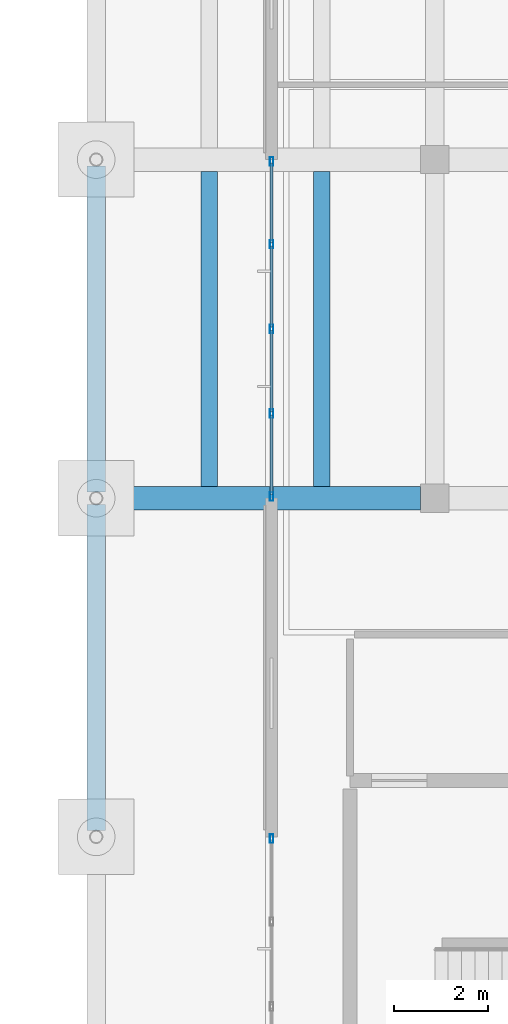
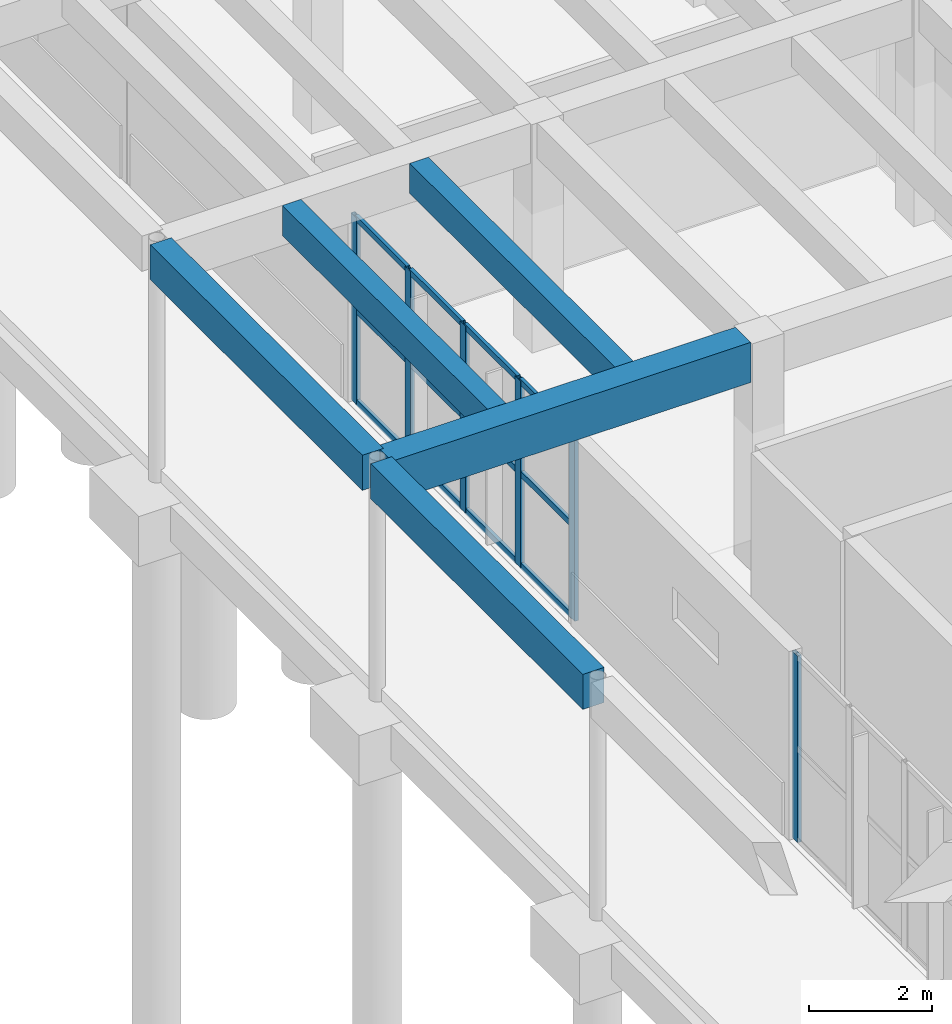
# One storey, part 18 of 155: 18 members, 5 beams, 2 elements without a shape of their own.
"""IFC4 building model written with IfcOpenShell, lengths in metres."""

import ifcopenshell
import ifcopenshell.guid

model = None  # the IFC model being written
_history = None  # IfcOwnerHistory: only IFC2X3 demands one
_inside = {}  # id of a spatial element -> (the spatial element, [elements in it])
_under = {}  # id of a project, library or spatial element -> (it, [spatial elements below it])
_declared = {}  # id of a project -> (the project, [libraries it declares])
_typed = {}  # id of a type object -> (the type object, [elements of that type])
_made_of = {}  # id of a material, layer set ... -> (it, [elements and type objects made of it])


def new_model(schema):
    """Start an empty IFC model of exactly this schema.

    Asked for "IFC4X3", IfcOpenShell would pick the latest addendum, in which some entities
    have other attributes; the version numbers below select the first issue.
    IFC2X3 requires an IfcOwnerHistory on every rooted entity: one is made here for all.
    """
    global model, _history
    if schema == "IFC4X3":
        model = ifcopenshell.file(schema_version=(4, 3, 0, 0))
    else:
        model = ifcopenshell.file(schema=schema)
    _inside.clear()
    _under.clear()
    _declared.clear()
    _typed.clear()
    _made_of.clear()
    _history = None
    if model.schema == "IFC2X3":
        org = make("IfcOrganization", Name="unknown")
        user = make(
            "IfcPersonAndOrganization",
            ThePerson=make("IfcPerson", FamilyName="unknown"),
            TheOrganization=org,
        )
        app = make(
            "IfcApplication",
            ApplicationDeveloper=org,
            Version="unknown",
            ApplicationFullName="unknown",
            ApplicationIdentifier="unknown",
        )
        _history = make(
            "IfcOwnerHistory",
            OwningUser=user,
            OwningApplication=app,
            ChangeAction="ADDED",
            CreationDate=0,
        )
    return model


def make(cls, **values):
    """One entity of the class cls with the attributes given. An attribute that is None is left unset."""
    return model.create_entity(
        cls, **{name: value for name, value in values.items() if value is not None}
    )


def rooted(cls, **values):
    """An entity with a GlobalId (a new one), such as an element, a storey or a relation."""
    return make(cls, GlobalId=ifcopenshell.guid.new(), OwnerHistory=_history, **values)


def si_unit(unit_type, name, prefix=None):
    """IfcSIUnit, for example si_unit("LENGTHUNIT", "METRE", prefix="MILLI")."""
    return make("IfcSIUnit", UnitType=unit_type, Prefix=prefix, Name=name)


def assignment(units):
    """IfcUnitAssignment: the units of a project."""
    return None if units is None else make("IfcUnitAssignment", Units=units)


def point(xyz):
    """IfcCartesianPoint."""
    return None if xyz is None else make("IfcCartesianPoint", Coordinates=xyz)


def direction(xyz):
    """IfcDirection."""
    return None if xyz is None else make("IfcDirection", DirectionRatios=xyz)


def frame(location, z_axis=None, x_axis=None):
    """IfcAxis2Placement3D, a coordinate frame: its origin and axes. An axis left out is left unset."""
    return make(
        "IfcAxis2Placement3D",
        Location=point(location),
        Axis=direction(z_axis),
        RefDirection=direction(x_axis),
    )


def frame_2d(location, x_axis=None):
    """IfcAxis2Placement2D, a coordinate frame in the plane: its origin and x axis."""
    return make(
        "IfcAxis2Placement2D", Location=point(location), RefDirection=direction(x_axis)
    )


def origin():
    """The frame at (0, 0, 0) with its axes left unset."""
    return frame((0.0, 0.0, 0.0))


def origin_2d():
    """The frame at (0, 0) in the plane with its x axis left unset."""
    return frame_2d((0.0, 0.0))


def place(relative_to, where):
    """IfcLocalPlacement: puts the frame where relative to a parent placement (None: the world)."""
    return make(
        "IfcLocalPlacement", PlacementRelTo=relative_to, RelativePlacement=where
    )


def context(
    kind, dimensions, precision=None, world=None, true_north=None, identifier=None
):
    """IfcGeometricRepresentationContext, for example the 3D "Model" context."""
    return make(
        "IfcGeometricRepresentationContext",
        ContextIdentifier=identifier,
        ContextType=kind,
        CoordinateSpaceDimension=dimensions,
        Precision=precision,
        WorldCoordinateSystem=world,
        TrueNorth=true_north,
    )


def subcontext(parent, identifier, kind, view, scale=None):
    """IfcGeometricRepresentationSubContext, for example "Body" below "Model"."""
    return make(
        "IfcGeometricRepresentationSubContext",
        ContextIdentifier=identifier,
        ContextType=kind,
        ParentContext=parent,
        TargetScale=scale,
        TargetView=view,
    )


def project(units=None, contexts=None):
    """IfcProject with its units and contexts."""
    return rooted(
        "IfcProject",
        Name="project",
        RepresentationContexts=contexts,
        UnitsInContext=assignment(units),
    )


def spatial(cls, under=None, at=None, **own):
    """A site, building, storey or space (cls), placed at a placement, below another one or the project."""
    s = rooted(cls, ObjectPlacement=at, **own)
    if under is not None:
        _under.setdefault(under.id(), (under, []))[1].append(s)
    return s


def profile(cls, at=None, kind="AREA", **sizes):
    """A parametric profile (cls). Its sizes go by their IFC names, for example OverallWidth=200.0."""
    return make(cls, ProfileType=kind, Position=at, **sizes)


def rectangle(**sizes):
    """IfcRectangleProfileDef."""
    return profile("IfcRectangleProfileDef", **sizes)


def hollow_rectangle(**sizes):
    """IfcRectangleHollowProfileDef."""
    return profile("IfcRectangleHollowProfileDef", **sizes)


def extrude(swept, where, along, depth):
    """IfcExtrudedAreaSolid: the profile swept, set in the frame where, extruded along a direction by depth."""
    return make(
        "IfcExtrudedAreaSolid",
        SweptArea=swept,
        Position=where,
        ExtrudedDirection=direction(along),
        Depth=depth,
    )


def shape(context_of_items, identifier, shape_type, items):
    """IfcShapeRepresentation: the items that make up one representation, for example the "Body"."""
    return make(
        "IfcShapeRepresentation",
        ContextOfItems=context_of_items,
        RepresentationIdentifier=identifier,
        RepresentationType=shape_type,
        Items=items,
    )


def material(Name=None, Category=None):
    """IfcMaterial."""
    return make("IfcMaterial", Name=Name, Category=Category)


def material_profile(
    of_material, cross_section, Name=None, Category=None, Priority=None
):
    """IfcMaterialProfile: a cross section and its material."""
    return make(
        "IfcMaterialProfile",
        Name=Name,
        Material=of_material,
        Profile=cross_section,
        Priority=Priority,
        Category=Category,
    )


def profile_set(profiles, Name=None, composite=None):
    """IfcMaterialProfileSet."""
    return make(
        "IfcMaterialProfileSet",
        Name=Name,
        MaterialProfiles=profiles,
        CompositeProfile=composite,
    )


def made_of(thing, what):
    """Note that an element or type object is made of a material, layer set ...; save() writes the relation."""
    if what is not None:
        _made_of.setdefault(what.id(), (what, []))[1].append(thing)
    return thing


def type_object(cls, material=None, **own):
    """A type object (cls), such as IfcWallType, which elements share."""
    return made_of(rooted(cls, **own), material)


def element(
    cls,
    number,
    at=None,
    inside=None,
    cuts=None,
    type_object=None,
    material=None,
    context=None,
    identifier="Body",
    shape_type=None,
    held_by="IfcProductDefinitionShape",
    body=None,
    shapes=None,
    **own,
):
    """One element of the class cls, such as IfcWall. Its Tag is "e" and its number.

    at: its placement. inside: the storey or other place that contains it. cuts: it is an
    opening in that element (IfcRelVoidsElement). A single representation is given by context,
    identifier, shape_type and body (its items); several are given by shapes. held_by: the class
    of the entity that holds the representations. save() writes the other relations.
    """
    e = rooted(cls, Tag="e%d" % number, ObjectPlacement=at, **own)
    if body is not None:
        shapes = [shape(context, identifier, shape_type, body)]
    if shapes is not None:
        e.Representation = make(held_by, Representations=shapes)
    if inside is not None:
        _inside.setdefault(inside.id(), (inside, []))[1].append(e)
    if cuts is not None:
        rooted(
            "IfcRelVoidsElement", RelatingBuildingElement=cuts, RelatedOpeningElement=e
        )
    if type_object is not None:
        _typed.setdefault(type_object.id(), (type_object, []))[1].append(e)
    return made_of(e, material)


def aggregate(whole, parts):
    """IfcRelAggregates: a whole, such as a stair, and the parts it consists of."""
    return rooted("IfcRelAggregates", RelatingObject=whole, RelatedObjects=parts)


def save(model, path):
    """Write the relations noted so far, then the file.

    IfcRelAggregates (storeys below a building ...), IfcRelContainedInSpatialStructure (elements
    in a storey), IfcRelDefinesByType, IfcRelAssociatesMaterial and IfcRelDeclares: one each for
    every whole, place, type object, material and project.
    """
    for whole, parts in _under.values():
        aggregate(whole, parts)
    for where, things in _inside.values():
        rooted(
            "IfcRelContainedInSpatialStructure",
            RelatedElements=things,
            RelatingStructure=where,
        )
    for kind, things in _typed.values():
        rooted("IfcRelDefinesByType", RelatedObjects=things, RelatingType=kind)
    for what, things in _made_of.values():
        rooted("IfcRelAssociatesMaterial", RelatedObjects=things, RelatingMaterial=what)
    for by, libraries in _declared.values():
        rooted("IfcRelDeclares", RelatingContext=by, RelatedDefinitions=libraries)
    model.write(path)


model = new_model("IFC4")

# Units and contexts
model_context = context("Model", 3, precision=1e-05, world=origin(), true_north=direction((0.0, 1.0)))
body_context = subcontext(model_context, "Body", "Model", "MODEL_VIEW")
ifc_project = project(units=[si_unit("LENGTHUNIT", "METRE"), si_unit("AREAUNIT", "SQUARE_METRE"), si_unit("VOLUMEUNIT", "CUBIC_METRE"), si_unit("PLANEANGLEUNIT", "RADIAN"), si_unit("MASSUNIT", "GRAM", prefix="KILO")], contexts=[model_context])

# Site, building, storey
site_placement = place(None, origin())
site = spatial("IfcSite", under=ifc_project, at=site_placement, CompositionType="ELEMENT")
building_placement = place(site_placement, origin())
building = spatial("IfcBuilding", under=site, at=building_placement, Name="Bramvelor Terrace Health Centre", CompositionType="ELEMENT")
storey_placement = place(building_placement, origin())
storey = spatial("IfcBuildingStorey", under=building, at=storey_placement, Name="L01", CompositionType="ELEMENT", Elevation=0.0)

# Beams
ifc_material_1 = material(Name="Concrete C40/50", Category="concrete")
ifc_material_profile_1 = material_profile(ifc_material_1, rectangle(XDim=0.5, YDim=0.800048828125, at=origin_2d()), Name="RC 500x800")
ifc_profile_set_1 = profile_set([ifc_material_profile_1], Name="Concrete C40/50")
beam_type_1 = type_object("IfcBeamType", Name="BM-RC-G800", PredefinedType="BEAM", material=ifc_profile_set_1)
beam_placement = place(storey_placement, frame((0.136474609375, 43.199951171875, 4.159912109375), z_axis=(1.0, 0.0, 0.0), x_axis=(0.0, 1.0, 0.0)))
element("IfcBeam", 1, at=beam_placement, inside=storey, type_object=beam_type_1, Name="L01 Floor Girder", PredefinedType="BEAM", context=body_context, shape_type="SweptSolid", body=[
    extrude(rectangle(XDim=0.5, YDim=0.800048828125, at=origin_2d()), origin(), (0.0, 0.0, 1.0), 6.763427734375),
])
ifc_material_2 = material(Name="Concrete C40/50", Category="concrete")
ifc_material_profile_2 = material_profile(ifc_material_2, rectangle(XDim=0.35009765625, YDim=0.60009765625, at=origin_2d()), Name="RC 350x600")
ifc_profile_set_2 = profile_set([ifc_material_profile_2], Name="Concrete C40/50")
beam_type_2 = type_object("IfcBeamType", Name="BM-RC-J600", PredefinedType="JOIST", material=ifc_profile_set_2)
for number, where, z_axis, x_axis, name in (
    (2, (2.39990234375, 43.449951171875, 4.260009765625), (0.0, 1.0, 0.0), (-1.0, 0.0, 0.0), "L01 Secondary Floor Joist"),
    (3, (4.800048828125, 43.449951171875, 4.260009765625), (0.0, 1.0, 0.0), (-1.0, 0.0, 0.0), "L01 Secondary Floor Joist"),
):
    element("IfcBeam", number, at=place(storey_placement, frame(where, z_axis=z_axis, x_axis=x_axis)), inside=storey, type_object=beam_type_2, Name=name, PredefinedType="JOIST", context=body_context, shape_type="SweptSolid", body=[
        extrude(rectangle(XDim=0.35009765625, YDim=0.60009765625, at=origin_2d()), origin(), (0.0, 0.0, 1.0), 6.699951171875),
    ])
ifc_material_3 = material(Name="Concrete C40/50", Category="concrete")
ifc_material_profile_3 = material_profile(ifc_material_3, rectangle(XDim=0.39990234375, YDim=0.699951171875, at=origin_2d()), Name="RC 400x700")
ifc_profile_set_3 = profile_set([ifc_material_profile_3], Name="Concrete C40/50")
beam_type_3 = type_object("IfcBeamType", Name="BM-RC-SP700-EXT", PredefinedType="SPANDREL", material=ifc_profile_set_3)
for number, where, z_axis, x_axis, name in (
    (4, (0.0, 36.136474609375, 4.2099609375), (0.0, 1.0, 0.0), (-1.0, 0.0, 0.0), "L01 Floor Girder"),
    (5, (0.0, 43.33642578125, 4.2099609375), (0.0, 1.0, 0.0), (-1.0, 0.0, 0.0), "L01 Floor Girder"),
):
    element("IfcBeam", number, at=place(storey_placement, frame(where, z_axis=z_axis, x_axis=x_axis)), inside=storey, type_object=beam_type_3, Name=name, PredefinedType="SPANDREL", context=body_context, shape_type="SweptSolid", body=[
        extrude(rectangle(XDim=0.39990234375, YDim=0.699951171875, at=origin_2d()), origin(), (0.0, 0.0, 1.0), 6.927001953125),
    ])

# Curtain wall, member
ifc_material_4 = material(Name="Anodized aluminium and double low-E glass", Category="aluminium")
curtain_wall_type = type_object("IfcCurtainWallType", Name="CW-SYS-03", PredefinedType="NOTDEFINED", material=ifc_material_4)
curtain_wall_1_placement = place(storey_placement, origin())
curtain_wall_1 = element("IfcCurtainWall", 6, at=curtain_wall_1_placement, inside=storey, type_object=curtain_wall_type, Name="L01 Unitized Curtain Wall 7", PredefinedType="NOTDEFINED")
ifc_material_5 = material(Name="Anodized aluminium 6063-T6", Category="aluminium")
ifc_material_profile_4 = material_profile(ifc_material_5, hollow_rectangle(XDim=0.074951171875, YDim=0.179931640625, WallThickness=0.00341796875, at=origin_2d()), Name="ALU-MUL 75x180x3.5")
ifc_profile_set_4 = profile_set([ifc_material_profile_4], Name="Anodized aluminium 6063-T6")
member_type_1 = type_object("IfcMemberType", Name="CW-MUL-65x180", PredefinedType="MULLION", material=ifc_profile_set_4)
member_1_placement = place(storey_placement, frame((3.72998046875, 35.96240234375, 0.0), z_axis=(0.0, 0.0, 1.0), x_axis=(-1.0, 0.0, 0.0)))
member_1 = element("IfcMember", 7, at=member_1_placement, type_object=member_type_1, Name="CW-03 mullion 5", PredefinedType="MULLION", context=body_context, shape_type="SweptSolid", body=[
    extrude(hollow_rectangle(XDim=0.074951171875, YDim=0.179931640625, WallThickness=0.00341796875, at=origin_2d()), origin(), (0.0, 0.0, 1.0), 3.719970703125),
])
aggregate(curtain_wall_1, [member_1])

# Curtain wall, members
curtain_wall_2_placement = place(storey_placement, origin())
curtain_wall_2 = element("IfcCurtainWall", 8, at=curtain_wall_2_placement, inside=storey, type_object=curtain_wall_type, Name="L01 Unitized Curtain Wall 8", PredefinedType="NOTDEFINED")
member_2_placement = place(storey_placement, frame((3.72998046875, 43.237548828125, 0.0), z_axis=(0.0, 0.0, 1.0), x_axis=(-1.0, 0.0, 0.0)))
member_2 = element("IfcMember", 9, at=member_2_placement, type_object=member_type_1, Name="CW-03 mullion 1", PredefinedType="MULLION", context=body_context, shape_type="SweptSolid", body=[
    extrude(hollow_rectangle(XDim=0.074951171875, YDim=0.179931640625, WallThickness=0.00341796875, at=origin_2d()), origin(), (0.0, 0.0, 1.0), 3.719970703125),
])
member_3_placement = place(storey_placement, frame((3.72998046875, 45.0, 0.0), z_axis=(0.0, 0.0, 1.0), x_axis=(-1.0, 0.0, 0.0)))
member_3 = element("IfcMember", 10, at=member_3_placement, type_object=member_type_1, Name="CW-03 mullion 2", PredefinedType="MULLION", context=body_context, shape_type="SweptSolid", body=[
    extrude(hollow_rectangle(XDim=0.074951171875, YDim=0.179931640625, WallThickness=0.00341796875, at=origin_2d()), origin(), (0.0, 0.0, 1.0), 3.719970703125),
])
member_4_placement = place(storey_placement, frame((3.72998046875, 46.800048828125, 0.0), z_axis=(0.0, 0.0, 1.0), x_axis=(-1.0, 0.0, 0.0)))
member_4 = element("IfcMember", 11, at=member_4_placement, type_object=member_type_1, Name="CW-03 mullion 3", PredefinedType="MULLION", context=body_context, shape_type="SweptSolid", body=[
    extrude(hollow_rectangle(XDim=0.074951171875, YDim=0.179931640625, WallThickness=0.00341796875, at=origin_2d()), origin(), (0.0, 0.0, 1.0), 3.719970703125),
])
member_5_placement = place(storey_placement, frame((3.72998046875, 48.60009765625, 0.0), z_axis=(0.0, 0.0, 1.0), x_axis=(-1.0, 0.0, 0.0)))
member_5 = element("IfcMember", 12, at=member_5_placement, type_object=member_type_1, Name="CW-03 mullion 4", PredefinedType="MULLION", context=body_context, shape_type="SweptSolid", body=[
    extrude(hollow_rectangle(XDim=0.074951171875, YDim=0.179931640625, WallThickness=0.00341796875, at=origin_2d()), origin(), (0.0, 0.0, 1.0), 3.719970703125),
])
member_6_placement = place(storey_placement, frame((3.72998046875, 50.362548828125, 0.0), z_axis=(0.0, 0.0, 1.0), x_axis=(-1.0, 0.0, 0.0)))
member_6 = element("IfcMember", 13, at=member_6_placement, type_object=member_type_1, Name="CW-03 mullion 5", PredefinedType="MULLION", context=body_context, shape_type="SweptSolid", body=[
    extrude(hollow_rectangle(XDim=0.074951171875, YDim=0.179931640625, WallThickness=0.00341796875, at=origin_2d()), origin(), (0.0, 0.0, 1.0), 3.719970703125),
])
ifc_material_6 = material(Name="Anodized aluminium 6063-T6", Category="aluminium")
ifc_material_profile_5 = material_profile(ifc_material_6, hollow_rectangle(XDim=0.06494140625, YDim=0.1201171875, WallThickness=0.0029296875, at=origin_2d()), Name="ALU-TRN 65x120x3.0")
ifc_profile_set_5 = profile_set([ifc_material_profile_5], Name="Anodized aluminium 6063-T6")
member_type_2 = type_object("IfcMemberType", Name="CW-TRN-65x150", PredefinedType="USERDEFINED", material=ifc_profile_set_5)
member_7_placement = place(storey_placement, frame((3.72998046875, 43.27490234375, 0.032470703125), z_axis=(0.0, 1.0, 0.0), x_axis=(-1.0, 0.0, 0.0)))
member_7 = element("IfcMember", 14, at=member_7_placement, type_object=member_type_2, Name="CW-03 transom 1.1", ObjectType="TRANSOM", PredefinedType="USERDEFINED", context=body_context, shape_type="SweptSolid", body=[
    extrude(hollow_rectangle(XDim=0.06494140625, YDim=0.1201171875, WallThickness=0.0029296875, at=origin_2d()), origin(), (0.0, 0.0, 1.0), 1.6875),
])
member_8_placement = place(storey_placement, frame((3.72998046875, 43.27490234375, 1.860107421875), z_axis=(0.0, 1.0, 0.0), x_axis=(-1.0, 0.0, 0.0)))
member_8 = element("IfcMember", 15, at=member_8_placement, type_object=member_type_2, Name="CW-03 transom 1.2", ObjectType="TRANSOM", PredefinedType="USERDEFINED", context=body_context, shape_type="SweptSolid", body=[
    extrude(hollow_rectangle(XDim=0.06494140625, YDim=0.1201171875, WallThickness=0.0029296875, at=origin_2d()), origin(), (0.0, 0.0, 1.0), 1.6875),
])
member_9_placement = place(storey_placement, frame((3.72998046875, 43.27490234375, 3.6875), z_axis=(0.0, 1.0, 0.0), x_axis=(-1.0, 0.0, 0.0)))
member_9 = element("IfcMember", 16, at=member_9_placement, type_object=member_type_2, Name="CW-03 transom 1.3", ObjectType="TRANSOM", PredefinedType="USERDEFINED", context=body_context, shape_type="SweptSolid", body=[
    extrude(hollow_rectangle(XDim=0.06494140625, YDim=0.1201171875, WallThickness=0.0029296875, at=origin_2d()), origin(), (0.0, 0.0, 1.0), 1.6875),
])
member_10_placement = place(storey_placement, frame((3.72998046875, 45.03759765625, 0.032470703125), z_axis=(0.0, 1.0, 0.0), x_axis=(-1.0, 0.0, 0.0)))
member_10 = element("IfcMember", 17, at=member_10_placement, type_object=member_type_2, Name="CW-03 transom 2.1", ObjectType="TRANSOM", PredefinedType="USERDEFINED", context=body_context, shape_type="SweptSolid", body=[
    extrude(hollow_rectangle(XDim=0.06494140625, YDim=0.1201171875, WallThickness=0.0029296875, at=origin_2d()), origin(), (0.0, 0.0, 1.0), 1.724853515625),
])
member_11_placement = place(storey_placement, frame((3.72998046875, 45.03759765625, 1.860107421875), z_axis=(0.0, 1.0, 0.0), x_axis=(-1.0, 0.0, 0.0)))
member_11 = element("IfcMember", 18, at=member_11_placement, type_object=member_type_2, Name="CW-03 transom 2.2", ObjectType="TRANSOM", PredefinedType="USERDEFINED", context=body_context, shape_type="SweptSolid", body=[
    extrude(hollow_rectangle(XDim=0.06494140625, YDim=0.1201171875, WallThickness=0.0029296875, at=origin_2d()), origin(), (0.0, 0.0, 1.0), 1.724853515625),
])
member_12_placement = place(storey_placement, frame((3.72998046875, 45.03759765625, 3.6875), z_axis=(0.0, 1.0, 0.0), x_axis=(-1.0, 0.0, 0.0)))
member_12 = element("IfcMember", 19, at=member_12_placement, type_object=member_type_2, Name="CW-03 transom 2.3", ObjectType="TRANSOM", PredefinedType="USERDEFINED", context=body_context, shape_type="SweptSolid", body=[
    extrude(hollow_rectangle(XDim=0.06494140625, YDim=0.1201171875, WallThickness=0.0029296875, at=origin_2d()), origin(), (0.0, 0.0, 1.0), 1.724853515625),
])
member_13_placement = place(storey_placement, frame((3.72998046875, 46.83740234375, 0.032470703125), z_axis=(0.0, 1.0, 0.0), x_axis=(-1.0, 0.0, 0.0)))
member_13 = element("IfcMember", 20, at=member_13_placement, type_object=member_type_2, Name="CW-03 transom 3.1", ObjectType="TRANSOM", PredefinedType="USERDEFINED", context=body_context, shape_type="SweptSolid", body=[
    extrude(hollow_rectangle(XDim=0.06494140625, YDim=0.1201171875, WallThickness=0.0029296875, at=origin_2d()), origin(), (0.0, 0.0, 1.0), 1.72509765625),
])
member_14_placement = place(storey_placement, frame((3.72998046875, 46.83740234375, 1.860107421875), z_axis=(0.0, 1.0, 0.0), x_axis=(-1.0, 0.0, 0.0)))
member_14 = element("IfcMember", 21, at=member_14_placement, type_object=member_type_2, Name="CW-03 transom 3.2", ObjectType="TRANSOM", PredefinedType="USERDEFINED", context=body_context, shape_type="SweptSolid", body=[
    extrude(hollow_rectangle(XDim=0.06494140625, YDim=0.1201171875, WallThickness=0.0029296875, at=origin_2d()), origin(), (0.0, 0.0, 1.0), 1.72509765625),
])
member_15_placement = place(storey_placement, frame((3.72998046875, 46.83740234375, 3.6875), z_axis=(0.0, 1.0, 0.0), x_axis=(-1.0, 0.0, 0.0)))
member_15 = element("IfcMember", 22, at=member_15_placement, type_object=member_type_2, Name="CW-03 transom 3.3", ObjectType="TRANSOM", PredefinedType="USERDEFINED", context=body_context, shape_type="SweptSolid", body=[
    extrude(hollow_rectangle(XDim=0.06494140625, YDim=0.1201171875, WallThickness=0.0029296875, at=origin_2d()), origin(), (0.0, 0.0, 1.0), 1.72509765625),
])
member_16_placement = place(storey_placement, frame((3.72998046875, 48.637451171875, 0.032470703125), z_axis=(0.0, 1.0, 0.0), x_axis=(-1.0, 0.0, 0.0)))
member_16 = element("IfcMember", 23, at=member_16_placement, type_object=member_type_2, Name="CW-03 transom 4.1", ObjectType="TRANSOM", PredefinedType="USERDEFINED", context=body_context, shape_type="SweptSolid", body=[
    extrude(hollow_rectangle(XDim=0.06494140625, YDim=0.1201171875, WallThickness=0.0029296875, at=origin_2d()), origin(), (0.0, 0.0, 1.0), 1.6875),
])
member_17_placement = place(storey_placement, frame((3.72998046875, 48.637451171875, 1.860107421875), z_axis=(0.0, 1.0, 0.0), x_axis=(-1.0, 0.0, 0.0)))
member_17 = element("IfcMember", 24, at=member_17_placement, type_object=member_type_2, Name="CW-03 transom 4.2", ObjectType="TRANSOM", PredefinedType="USERDEFINED", context=body_context, shape_type="SweptSolid", body=[
    extrude(hollow_rectangle(XDim=0.06494140625, YDim=0.1201171875, WallThickness=0.0029296875, at=origin_2d()), origin(), (0.0, 0.0, 1.0), 1.6875),
])
member_18_placement = place(storey_placement, frame((3.72998046875, 48.637451171875, 3.6875), z_axis=(0.0, 1.0, 0.0), x_axis=(-1.0, 0.0, 0.0)))
member_18 = element("IfcMember", 25, at=member_18_placement, type_object=member_type_2, Name="CW-03 transom 4.3", ObjectType="TRANSOM", PredefinedType="USERDEFINED", context=body_context, shape_type="SweptSolid", body=[
    extrude(hollow_rectangle(XDim=0.06494140625, YDim=0.1201171875, WallThickness=0.0029296875, at=origin_2d()), origin(), (0.0, 0.0, 1.0), 1.6875),
])
aggregate(curtain_wall_2, [member_2, member_3, member_4, member_5, member_6, member_7, member_8, member_9, member_10, member_11, member_12, member_13, member_14, member_15, member_16, member_17, member_18])

save(model, "model.ifc")
